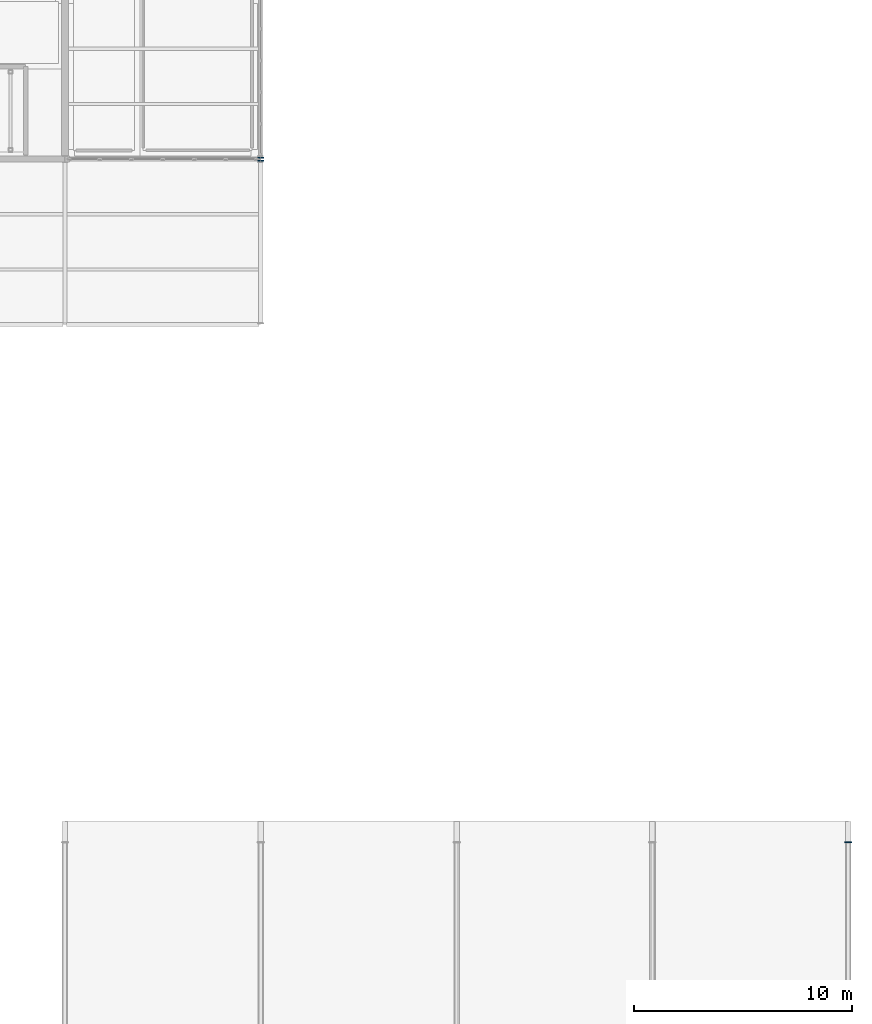
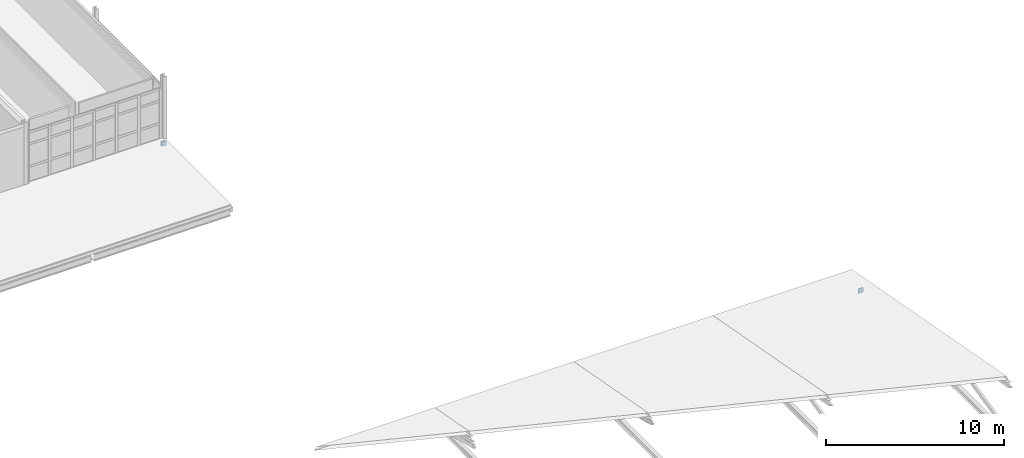
# One storey, part 83 of 96: 3 plates.
"""IFC4 building model written with IfcOpenShell, lengths in metres."""

from ifc_helpers import new_model, si_unit, direction, frame, origin, origin_2d, place, context, subcontext, project, spatial, rectangle, extrude, material, layer, layer_set, type_object, element, save


model = new_model("IFC4")

# Units and contexts
model_context = context("Model", 3, precision=1e-05, world=origin(), true_north=direction((0.0, 1.0)))
body_context = subcontext(model_context, "Body", "Model", "MODEL_VIEW")
ifc_project = project(units=[si_unit("LENGTHUNIT", "METRE"), si_unit("AREAUNIT", "SQUARE_METRE"), si_unit("VOLUMEUNIT", "CUBIC_METRE"), si_unit("PLANEANGLEUNIT", "RADIAN"), si_unit("MASSUNIT", "GRAM", prefix="KILO")], contexts=[model_context])

# Site, building, storey
site_placement = place(None, origin())
site = spatial("IfcSite", under=ifc_project, at=site_placement, CompositionType="ELEMENT")
building_placement = place(site_placement, origin())
building = spatial("IfcBuilding", under=site, at=building_placement, Name="Caisbarro Railhouse Central Library", CompositionType="ELEMENT")
storey_placement = place(building_placement, frame((0.0, 0.0, 13.679931640625)))
storey = spatial("IfcBuildingStorey", under=building, at=storey_placement, Name="L03", CompositionType="ELEMENT", Elevation=13.679931640625)

# Plates
ifc_material = material(Name="Steel ASTM A572 Grade 50", Category="steel")
ifc_layer_1 = layer(ifc_material, 0.044921875, Name="Steel ASTM A572 Grade 50")
ifc_layer_set_1 = layer_set([ifc_layer_1], Name="Steel ASTM A572 Grade 50")
plate_type_1 = type_object("IfcPlateType", Name="PLT-EP01", PredefinedType="SHEET", material=ifc_layer_set_1)
for number, where, z_axis, x_axis, name in (
    (1, (153.0, 68.468017578125, -0.52001953125), (0.0, 0.0, 1.0), (0.0, 1.0, 0.0), "EP01 end cap plate"),
    (2, (153.0, 68.33203125, -0.47998046875), (0.0, 0.0, 1.0), (0.0, 1.0, 0.0), "EP01 end cap plate"),
):
    element("IfcPlate", number, at=place(storey_placement, frame(where, z_axis=z_axis, x_axis=x_axis)), inside=storey, type_object=plate_type_1, Name=name, PredefinedType="SHEET", context=body_context, shape_type="SweptSolid", body=[
        extrude(rectangle(XDim=0.044921875, YDim=0.280029296875, at=origin_2d()), origin(), (0.0, 0.0, 1.0), 0.300048828125),
    ])
ifc_layer_2 = layer(ifc_material, 0.054931640625, Name="Steel ASTM A572 Grade 50")
ifc_layer_set_2 = layer_set([ifc_layer_2], Name="Steel ASTM A572 Grade 50")
plate_type_2 = type_object("IfcPlateType", Name="PLT-EP02", PredefinedType="SHEET", material=ifc_layer_set_2)
plate_placement = place(storey_placement, frame((180.0, 37.01171875, -0.99267578125), z_axis=(0.0, 0.0, 1.0), x_axis=(0.0, 1.0, 0.0)))
element("IfcPlate", 3, at=plate_placement, inside=storey, type_object=plate_type_2, Name="EP02 end cap plate", PredefinedType="SHEET", context=body_context, shape_type="SweptSolid", body=[
    extrude(rectangle(XDim=0.054931640625, YDim=0.320068359375, at=origin_2d()), origin(), (0.0, 0.0, 1.0), 0.320068359375),
])

save(model, "model.ifc")
